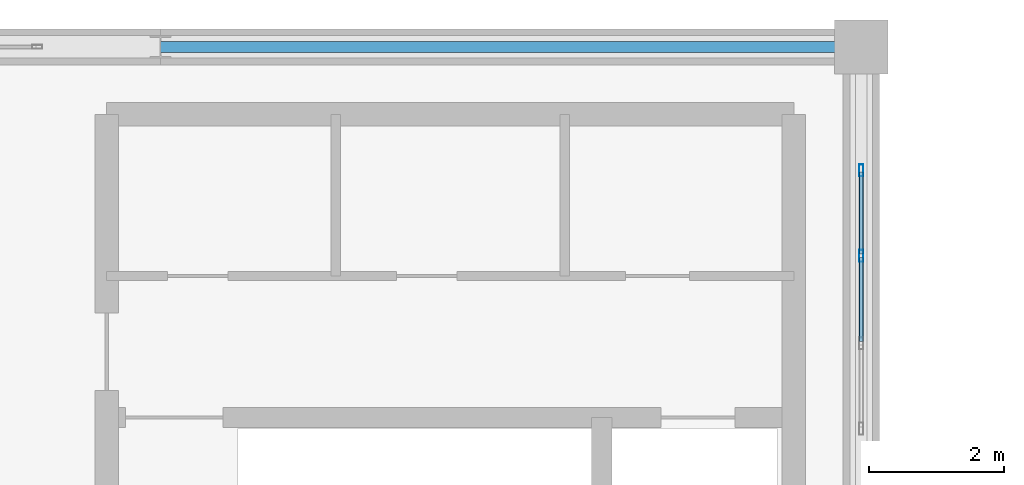
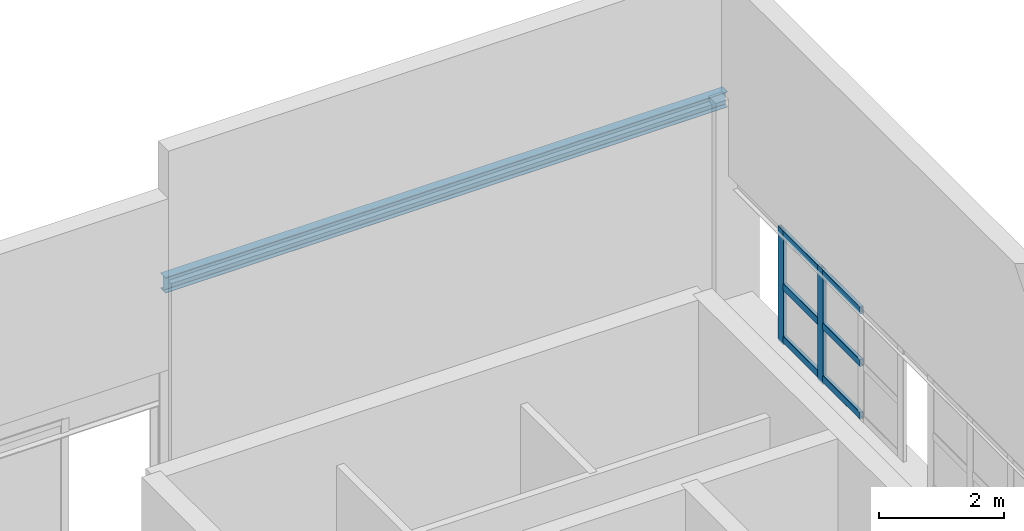
# One storey, part 69 of 97: 8 members, 1 beam, 1 element without a shape of its own.
"""IFC4 building model written with IfcOpenShell, lengths in metres."""

import ifcopenshell
import ifcopenshell.guid

model = None  # the IFC model being written
_history = None  # IfcOwnerHistory: only IFC2X3 demands one
_inside = {}  # id of a spatial element -> (the spatial element, [elements in it])
_under = {}  # id of a project, library or spatial element -> (it, [spatial elements below it])
_declared = {}  # id of a project -> (the project, [libraries it declares])
_typed = {}  # id of a type object -> (the type object, [elements of that type])
_made_of = {}  # id of a material, layer set ... -> (it, [elements and type objects made of it])


def new_model(schema):
    """Start an empty IFC model of exactly this schema.

    Asked for "IFC4X3", IfcOpenShell would pick the latest addendum, in which some entities
    have other attributes; the version numbers below select the first issue.
    IFC2X3 requires an IfcOwnerHistory on every rooted entity: one is made here for all.
    """
    global model, _history
    if schema == "IFC4X3":
        model = ifcopenshell.file(schema_version=(4, 3, 0, 0))
    else:
        model = ifcopenshell.file(schema=schema)
    _inside.clear()
    _under.clear()
    _declared.clear()
    _typed.clear()
    _made_of.clear()
    _history = None
    if model.schema == "IFC2X3":
        org = make("IfcOrganization", Name="unknown")
        user = make(
            "IfcPersonAndOrganization",
            ThePerson=make("IfcPerson", FamilyName="unknown"),
            TheOrganization=org,
        )
        app = make(
            "IfcApplication",
            ApplicationDeveloper=org,
            Version="unknown",
            ApplicationFullName="unknown",
            ApplicationIdentifier="unknown",
        )
        _history = make(
            "IfcOwnerHistory",
            OwningUser=user,
            OwningApplication=app,
            ChangeAction="ADDED",
            CreationDate=0,
        )
    return model


def make(cls, **values):
    """One entity of the class cls with the attributes given. An attribute that is None is left unset."""
    return model.create_entity(
        cls, **{name: value for name, value in values.items() if value is not None}
    )


def rooted(cls, **values):
    """An entity with a GlobalId (a new one), such as an element, a storey or a relation."""
    return make(cls, GlobalId=ifcopenshell.guid.new(), OwnerHistory=_history, **values)


def si_unit(unit_type, name, prefix=None):
    """IfcSIUnit, for example si_unit("LENGTHUNIT", "METRE", prefix="MILLI")."""
    return make("IfcSIUnit", UnitType=unit_type, Prefix=prefix, Name=name)


def derived_unit(unit_type, elements):
    """IfcDerivedUnit: a product of units, each with its exponent."""
    return make(
        "IfcDerivedUnit",
        Elements=[
            make("IfcDerivedUnitElement", Unit=unit, Exponent=power)
            for unit, power in elements
        ],
        UnitType=unit_type,
    )


def assignment(units):
    """IfcUnitAssignment: the units of a project."""
    return None if units is None else make("IfcUnitAssignment", Units=units)


def point(xyz):
    """IfcCartesianPoint."""
    return None if xyz is None else make("IfcCartesianPoint", Coordinates=xyz)


def direction(xyz):
    """IfcDirection."""
    return None if xyz is None else make("IfcDirection", DirectionRatios=xyz)


def frame(location, z_axis=None, x_axis=None):
    """IfcAxis2Placement3D, a coordinate frame: its origin and axes. An axis left out is left unset."""
    return make(
        "IfcAxis2Placement3D",
        Location=point(location),
        Axis=direction(z_axis),
        RefDirection=direction(x_axis),
    )


def frame_2d(location, x_axis=None):
    """IfcAxis2Placement2D, a coordinate frame in the plane: its origin and x axis."""
    return make(
        "IfcAxis2Placement2D", Location=point(location), RefDirection=direction(x_axis)
    )


def origin():
    """The frame at (0, 0, 0) with its axes left unset."""
    return frame((0.0, 0.0, 0.0))


def origin_2d():
    """The frame at (0, 0) in the plane with its x axis left unset."""
    return frame_2d((0.0, 0.0))


def place(relative_to, where):
    """IfcLocalPlacement: puts the frame where relative to a parent placement (None: the world)."""
    return make(
        "IfcLocalPlacement", PlacementRelTo=relative_to, RelativePlacement=where
    )


def context(
    kind, dimensions, precision=None, world=None, true_north=None, identifier=None
):
    """IfcGeometricRepresentationContext, for example the 3D "Model" context."""
    return make(
        "IfcGeometricRepresentationContext",
        ContextIdentifier=identifier,
        ContextType=kind,
        CoordinateSpaceDimension=dimensions,
        Precision=precision,
        WorldCoordinateSystem=world,
        TrueNorth=true_north,
    )


def subcontext(parent, identifier, kind, view, scale=None):
    """IfcGeometricRepresentationSubContext, for example "Body" below "Model"."""
    return make(
        "IfcGeometricRepresentationSubContext",
        ContextIdentifier=identifier,
        ContextType=kind,
        ParentContext=parent,
        TargetScale=scale,
        TargetView=view,
    )


def project(units=None, contexts=None):
    """IfcProject with its units and contexts."""
    return rooted(
        "IfcProject",
        Name="project",
        RepresentationContexts=contexts,
        UnitsInContext=assignment(units),
    )


def spatial(cls, under=None, at=None, **own):
    """A site, building, storey or space (cls), placed at a placement, below another one or the project."""
    s = rooted(cls, ObjectPlacement=at, **own)
    if under is not None:
        _under.setdefault(under.id(), (under, []))[1].append(s)
    return s


def profile(cls, at=None, kind="AREA", **sizes):
    """A parametric profile (cls). Its sizes go by their IFC names, for example OverallWidth=200.0."""
    return make(cls, ProfileType=kind, Position=at, **sizes)


def hollow_rectangle(**sizes):
    """IfcRectangleHollowProfileDef."""
    return profile("IfcRectangleHollowProfileDef", **sizes)


def i_section(**sizes):
    """IfcIShapeProfileDef."""
    return profile("IfcIShapeProfileDef", **sizes)


def extrude(swept, where, along, depth):
    """IfcExtrudedAreaSolid: the profile swept, set in the frame where, extruded along a direction by depth."""
    return make(
        "IfcExtrudedAreaSolid",
        SweptArea=swept,
        Position=where,
        ExtrudedDirection=direction(along),
        Depth=depth,
    )


def shape(context_of_items, identifier, shape_type, items):
    """IfcShapeRepresentation: the items that make up one representation, for example the "Body"."""
    return make(
        "IfcShapeRepresentation",
        ContextOfItems=context_of_items,
        RepresentationIdentifier=identifier,
        RepresentationType=shape_type,
        Items=items,
    )


def material(Name=None, Category=None):
    """IfcMaterial."""
    return make("IfcMaterial", Name=Name, Category=Category)


def layer(
    of_material, thickness, ventilated=None, Name=None, Category=None, Priority=None
):
    """IfcMaterialLayer: one layer of a wall or slab, of a material (None: an air gap)."""
    return make(
        "IfcMaterialLayer",
        Material=of_material,
        LayerThickness=thickness,
        IsVentilated=ventilated,
        Name=Name,
        Category=Category,
        Priority=Priority,
    )


def layer_set(layers, Name=None):
    """IfcMaterialLayerSet."""
    return make("IfcMaterialLayerSet", MaterialLayers=layers, LayerSetName=Name)


def material_profile(
    of_material, cross_section, Name=None, Category=None, Priority=None
):
    """IfcMaterialProfile: a cross section and its material."""
    return make(
        "IfcMaterialProfile",
        Name=Name,
        Material=of_material,
        Profile=cross_section,
        Priority=Priority,
        Category=Category,
    )


def profile_set(profiles, Name=None, composite=None):
    """IfcMaterialProfileSet."""
    return make(
        "IfcMaterialProfileSet",
        Name=Name,
        MaterialProfiles=profiles,
        CompositeProfile=composite,
    )


def made_of(thing, what):
    """Note that an element or type object is made of a material, layer set ...; save() writes the relation."""
    if what is not None:
        _made_of.setdefault(what.id(), (what, []))[1].append(thing)
    return thing


def type_object(cls, material=None, **own):
    """A type object (cls), such as IfcWallType, which elements share."""
    return made_of(rooted(cls, **own), material)


def element(
    cls,
    number,
    at=None,
    inside=None,
    cuts=None,
    type_object=None,
    material=None,
    context=None,
    identifier="Body",
    shape_type=None,
    held_by="IfcProductDefinitionShape",
    body=None,
    shapes=None,
    **own,
):
    """One element of the class cls, such as IfcWall. Its Tag is "e" and its number.

    at: its placement. inside: the storey or other place that contains it. cuts: it is an
    opening in that element (IfcRelVoidsElement). A single representation is given by context,
    identifier, shape_type and body (its items); several are given by shapes. held_by: the class
    of the entity that holds the representations. save() writes the other relations.
    """
    e = rooted(cls, Tag="e%d" % number, ObjectPlacement=at, **own)
    if body is not None:
        shapes = [shape(context, identifier, shape_type, body)]
    if shapes is not None:
        e.Representation = make(held_by, Representations=shapes)
    if inside is not None:
        _inside.setdefault(inside.id(), (inside, []))[1].append(e)
    if cuts is not None:
        rooted(
            "IfcRelVoidsElement", RelatingBuildingElement=cuts, RelatedOpeningElement=e
        )
    if type_object is not None:
        _typed.setdefault(type_object.id(), (type_object, []))[1].append(e)
    return made_of(e, material)


def aggregate(whole, parts):
    """IfcRelAggregates: a whole, such as a stair, and the parts it consists of."""
    return rooted("IfcRelAggregates", RelatingObject=whole, RelatedObjects=parts)


def save(model, path):
    """Write the relations noted so far, then the file.

    IfcRelAggregates (storeys below a building ...), IfcRelContainedInSpatialStructure (elements
    in a storey), IfcRelDefinesByType, IfcRelAssociatesMaterial and IfcRelDeclares: one each for
    every whole, place, type object, material and project.
    """
    for whole, parts in _under.values():
        aggregate(whole, parts)
    for where, things in _inside.values():
        rooted(
            "IfcRelContainedInSpatialStructure",
            RelatedElements=things,
            RelatingStructure=where,
        )
    for kind, things in _typed.values():
        rooted("IfcRelDefinesByType", RelatedObjects=things, RelatingType=kind)
    for what, things in _made_of.values():
        rooted("IfcRelAssociatesMaterial", RelatedObjects=things, RelatingMaterial=what)
    for by, libraries in _declared.values():
        rooted("IfcRelDeclares", RelatingContext=by, RelatedDefinitions=libraries)
    model.write(path)


model = new_model("IFC4")

# Units and contexts
model_context = context("Model", 3, precision=1e-05, world=origin(), true_north=direction((0.0, 1.0)))
body_context = subcontext(model_context, "Body", "Model", "MODEL_VIEW")
ifc_project = project(units=[si_unit("LENGTHUNIT", "METRE"), si_unit("AREAUNIT", "SQUARE_METRE"), si_unit("VOLUMEUNIT", "CUBIC_METRE"), si_unit("PLANEANGLEUNIT", "RADIAN"), si_unit("MASSUNIT", "GRAM", prefix="KILO"), derived_unit("THERMALTRANSMITTANCEUNIT", [(si_unit("POWERUNIT", "WATT"), 1), (si_unit("LENGTHUNIT", "METRE"), -2), (si_unit("THERMODYNAMICTEMPERATUREUNIT", "KELVIN"), -1)])], contexts=[model_context])

# Site, building, storey
site_placement = place(None, origin())
site = spatial("IfcSite", under=ifc_project, at=site_placement, CompositionType="ELEMENT")
building_placement = place(site_placement, origin())
building = spatial("IfcBuilding", under=site, at=building_placement, Name="Almenara Railside Exhibition Hall", CompositionType="ELEMENT")
storey_placement = place(building_placement, frame((0.0, 0.0, 10.800048828125)))
storey = spatial("IfcBuildingStorey", under=building, at=storey_placement, Name="L02", CompositionType="ELEMENT", Elevation=10.800048828125)

# Curtain wall, members
ifc_material_1 = material(Name="Bronze-anodised aluminium and low-E double glazing", Category="aluminium")
ifc_layer = layer(ifc_material_1, 0.179931640625, Name="Bronze-anodised aluminium and low-E double glazing")
ifc_layer_set = layer_set([ifc_layer], Name="Bronze-anodised aluminium and low-E double glazing")
curtain_wall_type = type_object("IfcCurtainWallType", Name="West Hall Clerestory Curtain Wall 3900x2200", PredefinedType="NOTDEFINED", material=ifc_layer_set)
curtain_wall_placement = place(storey_placement, origin())
curtain_wall = element("IfcCurtainWall", 1, at=curtain_wall_placement, inside=storey, type_object=curtain_wall_type, Name="Curtain wall CW-CL2-024", PredefinedType="NOTDEFINED")
ifc_material_2 = material(Name="Bronze-anodised aluminium", Category="aluminium")
ifc_material_profile_1 = material_profile(ifc_material_2, hollow_rectangle(XDim=0.06494140625, YDim=0.179931640625, WallThickness=0.00390625, InnerFilletRadius=0.00390625, OuterFilletRadius=0.008056640625, at=origin_2d()), Name="ALU-MUL 65x180x4")
ifc_profile_set_1 = profile_set([ifc_material_profile_1], Name="Bronze-anodised aluminium")
member_type_1 = type_object("IfcMemberType", Name="Curtain Wall Mullion 65x180x4", PredefinedType="MULLION", material=ifc_profile_set_1)
member_1_placement = place(storey_placement, frame((66.0, 128.89990234375, 4.56494140625), z_axis=(0.0, 0.0, 1.0), x_axis=(-1.0, 0.0, 0.0)))
member_1 = element("IfcMember", 2, at=member_1_placement, type_object=member_type_1, Name="CW-CL2-024 mullion 3", PredefinedType="MULLION", context=body_context, shape_type="SweptSolid", body=[
    extrude(hollow_rectangle(XDim=0.06494140625, YDim=0.179931640625, WallThickness=0.00390625, InnerFilletRadius=0.00390625, OuterFilletRadius=0.008056640625, at=origin_2d()), origin(), (0.0, 0.0, 1.0), 2.235107421875),
])
member_2_placement = place(storey_placement, frame((66.0, 130.16748046875, 4.56494140625), z_axis=(0.0, 0.0, 1.0), x_axis=(-1.0, 0.0, 0.0)))
member_2 = element("IfcMember", 3, at=member_2_placement, type_object=member_type_1, Name="CW-CL2-024 mullion 4", PredefinedType="MULLION", context=body_context, shape_type="SweptSolid", body=[
    extrude(hollow_rectangle(XDim=0.06494140625, YDim=0.179931640625, WallThickness=0.00390625, InnerFilletRadius=0.00390625, OuterFilletRadius=0.008056640625, at=origin_2d()), origin(), (0.0, 0.0, 1.0), 2.235107421875),
])
ifc_material_profile_2 = material_profile(ifc_material_2, hollow_rectangle(XDim=0.06494140625, YDim=0.139892578125, WallThickness=0.00341796875, InnerFilletRadius=0.00341796875, OuterFilletRadius=0.007080078125, at=origin_2d()), Name="ALU-TRN 65x140x3.5")
ifc_profile_set_2 = profile_set([ifc_material_profile_2], Name="Bronze-anodised aluminium")
member_type_2 = type_object("IfcMemberType", Name="Curtain Wall Transom 65x140x3.5", PredefinedType="USERDEFINED", material=ifc_profile_set_2)
member_3_placement = place(storey_placement, frame((66.0, 127.62451171875, 4.669921875), z_axis=(0.0, 1.0, 0.0), x_axis=(-1.0, 0.0, 0.0)))
member_3 = element("IfcMember", 4, at=member_3_placement, type_object=member_type_2, Name="CW-CL2-024 transom 2.1", ObjectType="TRANSOM", PredefinedType="USERDEFINED", context=body_context, shape_type="SweptSolid", body=[
    extrude(hollow_rectangle(XDim=0.06494140625, YDim=0.139892578125, WallThickness=0.00341796875, InnerFilletRadius=0.00341796875, OuterFilletRadius=0.007080078125, at=origin_2d()), origin(), (0.0, 0.0, 1.0), 1.2509765625),
])
member_4_placement = place(storey_placement, frame((66.0, 127.62451171875, 5.699951171875), z_axis=(0.0, 1.0, 0.0), x_axis=(-1.0, 0.0, 0.0)))
member_4 = element("IfcMember", 5, at=member_4_placement, type_object=member_type_2, Name="CW-CL2-024 transom 2.2", ObjectType="TRANSOM", PredefinedType="USERDEFINED", context=body_context, shape_type="SweptSolid", body=[
    extrude(hollow_rectangle(XDim=0.06494140625, YDim=0.139892578125, WallThickness=0.00341796875, InnerFilletRadius=0.00341796875, OuterFilletRadius=0.007080078125, at=origin_2d()), origin(), (0.0, 0.0, 1.0), 1.2509765625),
])
member_5_placement = place(storey_placement, frame((66.0, 127.62451171875, 6.72998046875), z_axis=(0.0, 1.0, 0.0), x_axis=(-1.0, 0.0, 0.0)))
member_5 = element("IfcMember", 6, at=member_5_placement, type_object=member_type_2, Name="CW-CL2-024 transom 2.3", ObjectType="TRANSOM", PredefinedType="USERDEFINED", context=body_context, shape_type="SweptSolid", body=[
    extrude(hollow_rectangle(XDim=0.06494140625, YDim=0.139892578125, WallThickness=0.00341796875, InnerFilletRadius=0.00341796875, OuterFilletRadius=0.007080078125, at=origin_2d()), origin(), (0.0, 0.0, 1.0), 1.2509765625),
])
member_6_placement = place(storey_placement, frame((66.0, 128.924560546875, 4.669921875), z_axis=(0.0, 1.0, 0.0), x_axis=(-1.0, 0.0, 0.0)))
member_6 = element("IfcMember", 7, at=member_6_placement, type_object=member_type_2, Name="CW-CL2-024 transom 3.1", ObjectType="TRANSOM", PredefinedType="USERDEFINED", context=body_context, shape_type="SweptSolid", body=[
    extrude(hollow_rectangle(XDim=0.06494140625, YDim=0.139892578125, WallThickness=0.00341796875, InnerFilletRadius=0.00341796875, OuterFilletRadius=0.007080078125, at=origin_2d()), origin(), (0.0, 0.0, 1.0), 1.218505859375),
])
member_7_placement = place(storey_placement, frame((66.0, 128.924560546875, 5.699951171875), z_axis=(0.0, 1.0, 0.0), x_axis=(-1.0, 0.0, 0.0)))
member_7 = element("IfcMember", 8, at=member_7_placement, type_object=member_type_2, Name="CW-CL2-024 transom 3.2", ObjectType="TRANSOM", PredefinedType="USERDEFINED", context=body_context, shape_type="SweptSolid", body=[
    extrude(hollow_rectangle(XDim=0.06494140625, YDim=0.139892578125, WallThickness=0.00341796875, InnerFilletRadius=0.00341796875, OuterFilletRadius=0.007080078125, at=origin_2d()), origin(), (0.0, 0.0, 1.0), 1.218505859375),
])
member_8_placement = place(storey_placement, frame((66.0, 128.924560546875, 6.72998046875), z_axis=(0.0, 1.0, 0.0), x_axis=(-1.0, 0.0, 0.0)))
member_8 = element("IfcMember", 9, at=member_8_placement, type_object=member_type_2, Name="CW-CL2-024 transom 3.3", ObjectType="TRANSOM", PredefinedType="USERDEFINED", context=body_context, shape_type="SweptSolid", body=[
    extrude(hollow_rectangle(XDim=0.06494140625, YDim=0.139892578125, WallThickness=0.00341796875, InnerFilletRadius=0.00341796875, OuterFilletRadius=0.007080078125, at=origin_2d()), origin(), (0.0, 0.0, 1.0), 1.218505859375),
])
aggregate(curtain_wall, [member_1, member_2, member_3, member_4, member_5, member_6, member_7, member_8])

# Beam
ifc_material_3 = material(Name="Structural steel S355JR", Category="steel")
ifc_material_profile_3 = material_profile(ifc_material_3, i_section(OverallWidth=0.1650390625, OverallDepth=0.303466796875, WebThickness=0.006103515625, FlangeThickness=0.01025390625, FilletRadius=0.0087890625, at=origin_2d()), Name="UB 305x165x40")
ifc_profile_set_3 = profile_set([ifc_material_profile_3], Name="Structural steel S355JR")
beam_type = type_object("IfcBeamType", Name="Steel Canopy Edge Spandrel UB 305x165x40 S355JR", PredefinedType="SPANDREL", material=ifc_profile_set_3)
beam_placement = place(storey_placement, frame((55.60009765625, 132.0, 8.248291015625), z_axis=(1.0, 0.0, 0.0), x_axis=(0.0, 1.0, 0.0)))
element("IfcBeam", 10, at=beam_placement, inside=storey, type_object=beam_type, Name="BM-CRNLNT-V1G3-132", PredefinedType="SPANDREL", context=body_context, shape_type="SweptSolid", body=[
    extrude(i_section(OverallWidth=0.1650390625, OverallDepth=0.303466796875, WebThickness=0.006103515625, FlangeThickness=0.01025390625, FilletRadius=0.0087890625, at=origin_2d()), origin(), (0.0, 0.0, 1.0), 10.39990234375),
])

save(model, "model.ifc")
